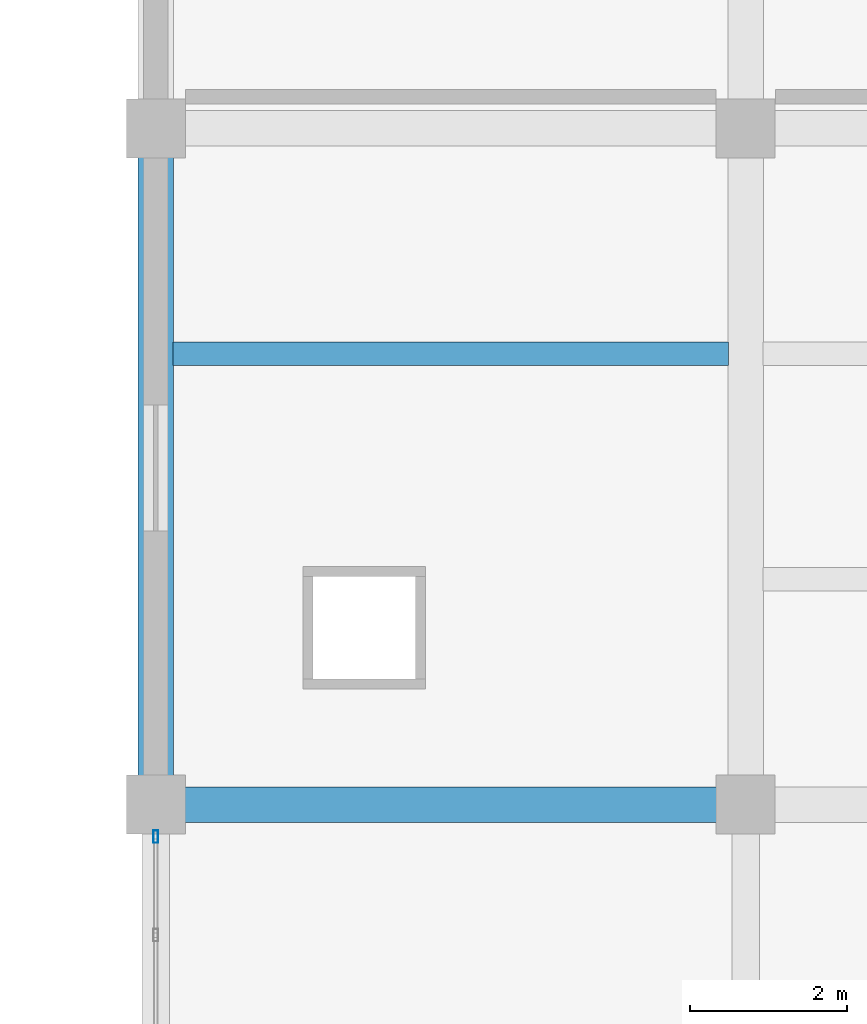
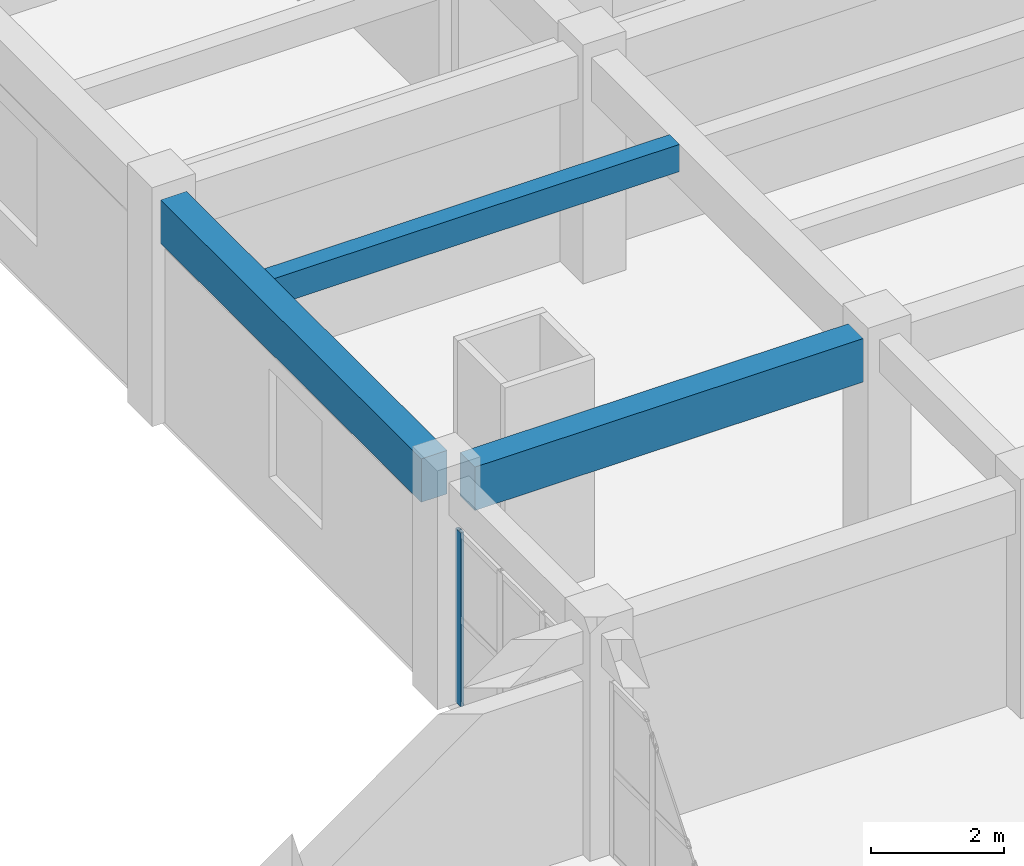
# One storey, part 46 of 116: 3 beams, 1 member, 1 element without a shape of its own.
"""IFC4 building model written with IfcOpenShell, lengths in metres."""

from ifc_helpers import new_model, si_unit, direction, frame, origin, origin_2d, place, context, subcontext, project, spatial, rectangle, hollow_rectangle, extrude, material, layer, layer_set, material_profile, profile_set, type_object, element, aggregate, save


model = new_model("IFC4")

# Units and contexts
model_context = context("Model", 3, precision=1e-05, world=origin(), true_north=direction((0.0, 1.0)))
body_context = subcontext(model_context, "Body", "Model", "MODEL_VIEW")
ifc_project = project(units=[si_unit("LENGTHUNIT", "METRE"), si_unit("AREAUNIT", "SQUARE_METRE"), si_unit("VOLUMEUNIT", "CUBIC_METRE"), si_unit("PLANEANGLEUNIT", "RADIAN"), si_unit("MASSUNIT", "GRAM", prefix="KILO")], contexts=[model_context])

# Site, building, storey
site_placement = place(None, origin())
site = spatial("IfcSite", under=ifc_project, at=site_placement, CompositionType="ELEMENT")
building_placement = place(site_placement, origin())
building = spatial("IfcBuilding", under=site, at=building_placement, Name="Muzn Square Opera House", CompositionType="ELEMENT")
storey_placement = place(building_placement, frame((0.0, 0.0, 5.39990234375)))
storey = spatial("IfcBuildingStorey", under=building, at=storey_placement, Name="L01", CompositionType="ELEMENT", Elevation=5.39990234375)

# Curtain wall, member
ifc_material_1 = material(Name="Low-E laminated acoustic double glazing", Category="glass")
ifc_layer = layer(ifc_material_1, 0.159912109375, Name="Low-E laminated acoustic double glazing", Category="glass")
ifc_layer_set = layer_set([ifc_layer], Name="Low-E laminated acoustic double glazing")
curtain_wall_type = type_object("IfcCurtainWallType", Name="Glazed Curtain Wall WestCourt 3850x3200", PredefinedType="USERDEFINED", material=ifc_layer_set)
curtain_wall_placement = place(storey_placement, origin())
curtain_wall = element("IfcCurtainWall", 1, at=curtain_wall_placement, inside=storey, type_object=curtain_wall_type, Name="Glazed Curtain Wall CW-L01-147", ObjectType="GLAZED CURTAIN WALL", PredefinedType="USERDEFINED")
ifc_material_2 = material(Name="Anodised bronze aluminium 6063-T6", Category="metal")
ifc_material_profile_1 = material_profile(ifc_material_2, hollow_rectangle(XDim=0.06005859375, YDim=0.159912109375, WallThickness=0.00390625, at=origin_2d()), Name="ALU 160x60x4", Category="metal")
ifc_profile_set_1 = profile_set([ifc_material_profile_1], Name="Anodised bronze aluminium 6063-T6")
member_type = type_object("IfcMemberType", Name="Curtain Wall Mullion 160x60", PredefinedType="MULLION", material=ifc_profile_set_1)
member_placement = place(storey_placement, frame((19.0, 72.195068359375, 0.0), z_axis=(0.0, 0.0, 1.0), x_axis=(-1.0, 0.0, 0.0)))
member = element("IfcMember", 2, at=member_placement, type_object=member_type, Name="CW-WCT-38x32 mullion 4", PredefinedType="MULLION", context=body_context, shape_type="SweptSolid", body=[
    extrude(hollow_rectangle(XDim=0.06005859375, YDim=0.159912109375, WallThickness=0.00390625, at=origin_2d()), origin(), (0.0, 0.0, 1.0), 3.2001953125),
])
aggregate(curtain_wall, [member])

# Beams
ifc_material_3 = material(Name="Concrete C40/50", Category="concrete")
ifc_material_profile_2 = material_profile(ifc_material_3, rectangle(XDim=0.300048828125, YDim=0.5, at=origin_2d()), Name="RCJ 300x500", Category="concrete")
ifc_profile_set_2 = profile_set([ifc_material_profile_2], Name="Concrete C40/50")
beam_type_1 = type_object("IfcBeamType", Name="Floor Joist 300x500", PredefinedType="JOIST", material=ifc_profile_set_2)
beam_1_placement = place(storey_placement, frame((19.217041015625, 78.333251953125, 3.8701171875), z_axis=(1.0, 0.0, 0.0), x_axis=(0.0, 1.0, 0.0)))
element("IfcBeam", 3, at=beam_1_placement, inside=storey, type_object=beam_type_1, Name="Floor Joist BM-L01-BM-J500-192_783_263_783-1810", PredefinedType="JOIST", context=body_context, shape_type="SweptSolid", body=[
    extrude(rectangle(XDim=0.300048828125, YDim=0.5, at=origin_2d()), origin(), (0.0, 0.0, 1.0), 7.06591796875),
])
ifc_material_profile_3 = material_profile(ifc_material_3, rectangle(XDim=0.449951171875, YDim=0.800048828125, at=origin_2d()), Name="RCB 450x800", Category="concrete")
ifc_profile_set_3 = profile_set([ifc_material_profile_3], Name="Concrete C40/50")
beam_type_2 = type_object("IfcBeamType", Name="Primary Girder 450x800", PredefinedType="BEAM", material=ifc_profile_set_3)
beam_2_placement = place(storey_placement, frame((19.366943359375, 72.60009765625, 3.72021484375), z_axis=(1.0, 0.0, 0.0), x_axis=(0.0, 1.0, 0.0)))
element("IfcBeam", 4, at=beam_2_placement, inside=storey, type_object=beam_type_2, Name="Primary Girder BM-L01-BM-PG800-194_726_261_726-1433", PredefinedType="BEAM", context=body_context, shape_type="SweptSolid", body=[
    extrude(rectangle(XDim=0.449951171875, YDim=0.800048828125, at=origin_2d()), origin(), (0.0, 0.0, 1.0), 6.76611328125),
])
beam_3_placement = place(storey_placement, frame((19.0, 72.967041015625, 3.72021484375), z_axis=(0.0, 1.0, 0.0), x_axis=(-1.0, 0.0, 0.0)))
element("IfcBeam", 5, at=beam_3_placement, inside=storey, type_object=beam_type_2, Name="Primary Girder BM-L01-BM-PG800-190_730_190_808-1567", PredefinedType="BEAM", context=body_context, shape_type="SweptSolid", body=[
    extrude(rectangle(XDim=0.449951171875, YDim=0.800048828125, at=origin_2d()), origin(), (0.0, 0.0, 1.0), 7.865966796875),
])

save(model, "model.ifc")
